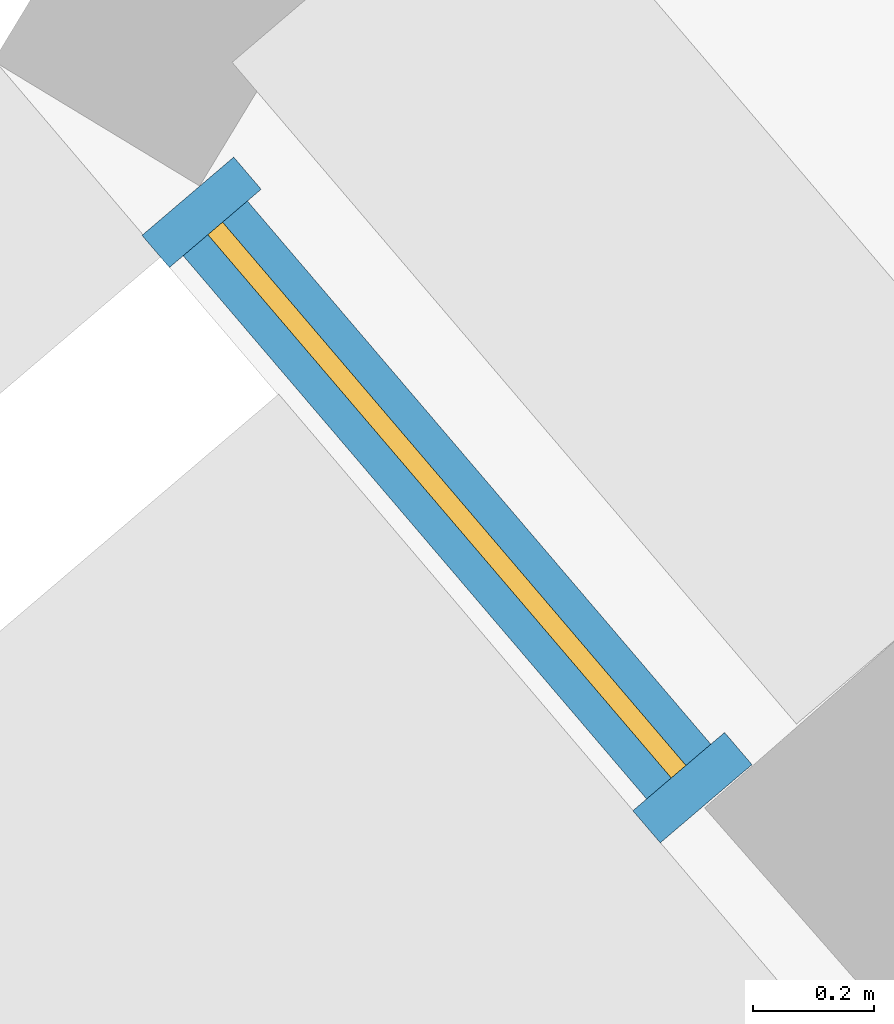
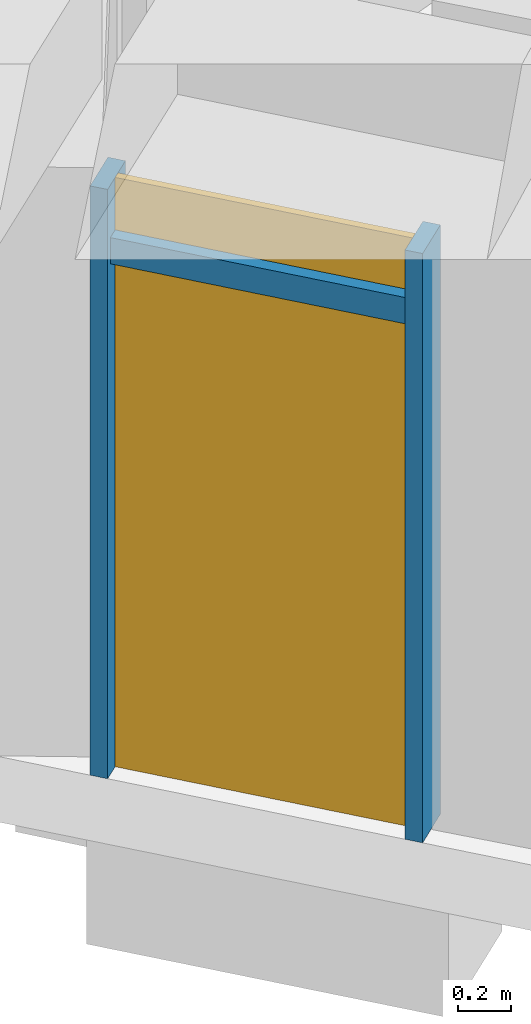
# One storey, part 19 of 28: 3 members, 1 curtain wall.
"""IFC4 building model written with IfcOpenShell, lengths in metres."""

from ifc_helpers import new_model, si_unit, direction, frame, origin, origin_2d, place, context, subcontext, project, spatial, rectangle, extrude, material, material_profile, profile_set, type_object, element, aggregate, save


model = new_model("IFC4")

# Units and contexts
model_context = context("Model", 3, precision=1e-05, world=origin(), true_north=direction((0.0, 1.0)))
body_context = subcontext(model_context, "Body", "Model", "MODEL_VIEW")
ifc_project = project(units=[si_unit("LENGTHUNIT", "METRE"), si_unit("AREAUNIT", "SQUARE_METRE"), si_unit("VOLUMEUNIT", "CUBIC_METRE"), si_unit("PLANEANGLEUNIT", "RADIAN"), si_unit("MASSUNIT", "GRAM", prefix="KILO")], contexts=[model_context])

# Member
ifc_material = material(Name="Aluminium 6063-T6 anodised", Category="aluminium")
ifc_material_profile_1 = material_profile(ifc_material, rectangle(XDim=0.199951171875, YDim=0.070068359375, at=origin_2d()))
ifc_profile_set_1 = profile_set([ifc_material_profile_1], Name="Aluminium 6063-T6 anodised")
member_type_1 = type_object("IfcMemberType", Name="Mullion 70 x 200 aluminium", PredefinedType="MULLION", material=ifc_profile_set_1)
site_placement = place(None, origin())
building_placement = place(site_placement, origin())
storey_placement = place(building_placement, frame((0.0, 0.0, 269.5)))
member_1_placement = place(storey_placement, frame((-59.962646484375, -50.267578125, 0.0), z_axis=(0.0, 0.0, 1.0), x_axis=(0.760854442079, 0.648922582416, 0.0)))
member_1 = element("IfcMember", 1, at=member_1_placement, type_object=member_type_1, Name="e-cw1-L65-out00/M00", PredefinedType="MULLION", context=body_context, shape_type="SweptSolid", body=[
    extrude(rectangle(XDim=0.199951171875, YDim=0.070068359375, at=origin_2d()), origin(), (0.0, 0.0, 1.0), 2.699951171875),
])

member_2_placement = place(storey_placement, frame((-59.1484375, -51.221923828125, 0.0), z_axis=(0.0, 0.0, 1.0), x_axis=(0.760854442079, 0.648922582416, 0.0)))
member_2 = element("IfcMember", 2, at=member_2_placement, type_object=member_type_1, Name="e-cw1-L65-out00/M01", PredefinedType="MULLION", context=body_context, shape_type="SweptSolid", body=[
    extrude(rectangle(XDim=0.199951171875, YDim=0.070068359375, at=origin_2d()), origin(), (0.0, 0.0, 1.0), 2.699951171875),
])

ifc_material_profile_2 = material_profile(ifc_material, rectangle(XDim=0.139892578125, YDim=0.1201171875, at=origin_2d()))
ifc_profile_set_2 = profile_set([ifc_material_profile_2], Name="Aluminium 6063-T6 anodised")
member_type_2 = type_object("IfcMemberType", Name="Transom 120 x 140 aluminium", PredefinedType="USERDEFINED", material=ifc_profile_set_2)
member_3_placement = place(storey_placement, frame((-59.93994140625, -50.294189453125, 2.39990234375), z_axis=(0.649041347801, -0.760753132655, 0.0), x_axis=(0.760753132655, 0.649041347801, 0.0)))
member_3 = element("IfcMember", 3, at=member_3_placement, type_object=member_type_2, Name="e-cw1-L65-out00/T00", ObjectType="TRANSOM", PredefinedType="USERDEFINED", context=body_context, shape_type="SweptSolid", body=[
    extrude(rectangle(XDim=0.139892578125, YDim=0.1201171875, at=origin_2d()), origin(), (0.0, 0.0, 1.0), 1.1845703125),
])

# Site, building, storey
site = spatial("IfcSite", under=ifc_project, at=site_placement, CompositionType="ELEMENT")
building = spatial("IfcBuilding", under=site, at=building_placement, Name="Qamariyya Broadcast Tower", CompositionType="ELEMENT")
storey = spatial("IfcBuildingStorey", under=building, at=storey_placement, Name="L65", CompositionType="ELEMENT", Elevation=269.5)

# Curtain wall
curtain_wall_type = type_object("IfcCurtainWallType", Name="Unitised curtain wall, anodised aluminium", PredefinedType="NOTDEFINED", material=ifc_material)
curtain_wall_placement = place(storey_placement, origin())
curtain_wall = element("IfcCurtainWall", 4, at=curtain_wall_placement, inside=storey, type_object=curtain_wall_type, Name="e-cw1-L65-out00", PredefinedType="NOTDEFINED", context=body_context, shape_type="SweptSolid", body=[
    extrude(rectangle(XDim=1.1845703125, YDim=0.031982421875, at=origin_2d()), frame((-59.5556640625, -50.744873046875, 0.0), x_axis=(0.648952881989, -0.760828598935, 0.0)), (0.0, 0.0, 1.0), 2.340087890625),
    extrude(rectangle(XDim=1.1845703125, YDim=0.031982421875, at=origin_2d()), frame((-59.5556640625, -50.744873046875, 2.4599609375), x_axis=(0.648952881989, -0.760828598935, 0.0)), (0.0, 0.0, 1.0), 0.239990234375),
])

aggregate(curtain_wall, [member_1, member_2, member_3])

save(model, "model.ifc")
